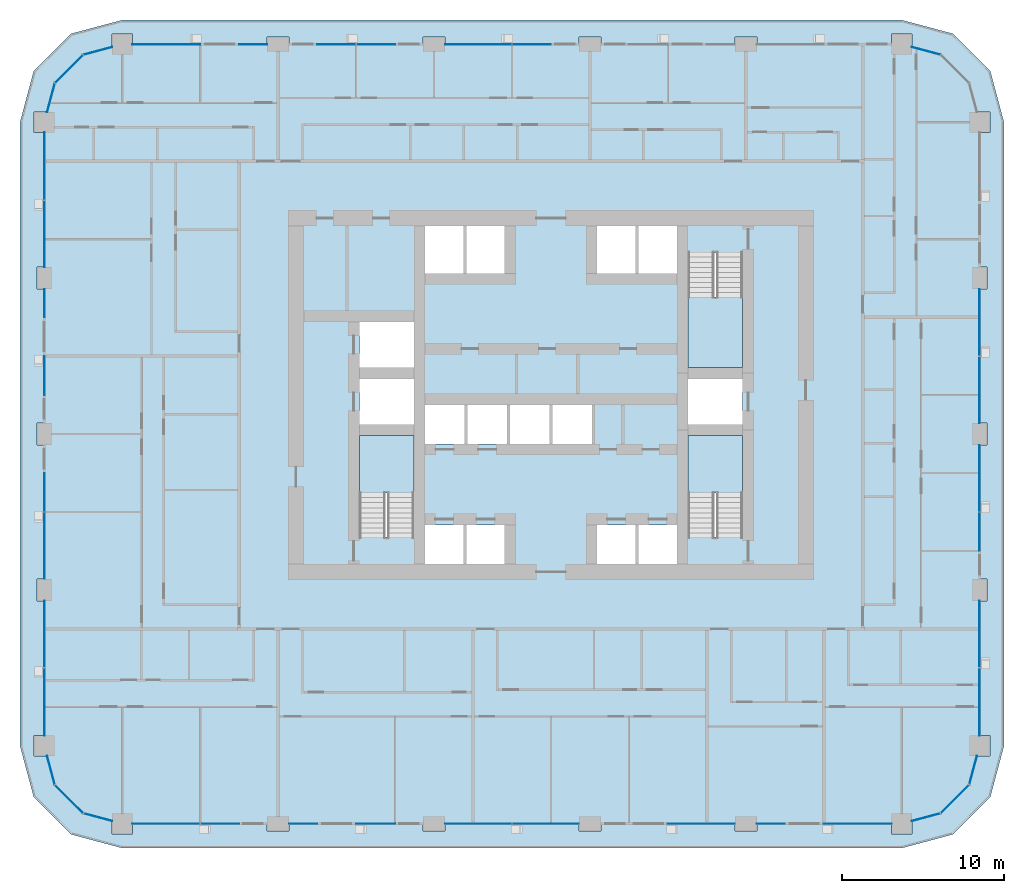
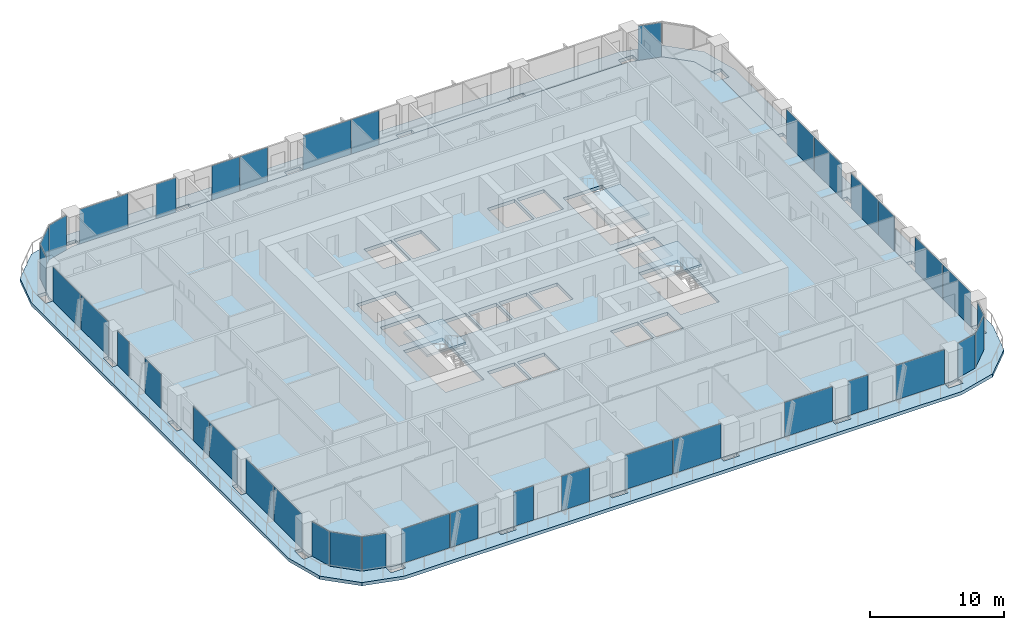
# One storey, part 7 of 21: 39 plates, 5 slabs, 22 elements without a shape of their own.
"""IFC4 building model written with IfcOpenShell, lengths in metres."""

from ifc_helpers import new_model, si_unit, direction, frame, origin, origin_2d, place, context, subcontext, project, spatial, polyline, rectangle, outline, extrude, material, layer, layer_set, type_object, element, aggregate, save


model = new_model("IFC4")

# Units and contexts
model_context = context("Model", 3, precision=1e-05, world=origin(), true_north=direction((0.0, 1.0)))
body_context = subcontext(model_context, "Body", "Model", "MODEL_VIEW")
ifc_project = project(units=[si_unit("LENGTHUNIT", "METRE"), si_unit("AREAUNIT", "SQUARE_METRE"), si_unit("VOLUMEUNIT", "CUBIC_METRE"), si_unit("PLANEANGLEUNIT", "RADIAN"), si_unit("MASSUNIT", "GRAM", prefix="KILO")], contexts=[model_context])

# Site, building, storey
site_placement = place(None, origin())
site = spatial("IfcSite", under=ifc_project, at=site_placement, CompositionType="ELEMENT")
building_placement = place(site_placement, origin())
building = spatial("IfcBuilding", under=site, at=building_placement, Name="Madar Terraces", CompositionType="ELEMENT")
storey_placement = place(building_placement, frame((0.0, 0.0, 32.89990234375)))
storey = spatial("IfcBuildingStorey", under=building, at=storey_placement, Name="L07", CompositionType="ELEMENT", Elevation=32.89990234375)

# Slabs
ifc_material_1 = material(Name="Concrete C50/60", Category="concrete")
ifc_layer_1 = layer(ifc_material_1, 0.300048828125)
ifc_layer_set_1 = layer_set([ifc_layer_1], Name="Balcony band 300")
slab_type_1 = type_object("IfcSlabType", Name="Balcony band 300", PredefinedType="FLOOR", material=ifc_layer_set_1)
slab_1_placement = place(storey_placement, frame((0.0, 0.0, -0.2998046875)))
element("IfcSlab", 1, at=slab_1_placement, inside=storey, type_object=slab_type_1, Name="Balcony band", PredefinedType="FLOOR", context=body_context, shape_type="SweptSolid", body=[
    extrude(outline(polyline([(4.800048828125, -1.5), (1.64990234375, -0.656005859375), (-0.656005859375, 1.64990234375), (-1.5, 4.800048828125), (-1.5, 43.199951171875), (-0.656005859375, 46.35009765625), (1.64990234375, 48.656005859375), (4.800048828125, 49.5), (52.800048828125, 49.5), (55.949951171875, 48.656005859375), (58.256103515625, 46.35009765625), (59.10009765625, 43.199951171875), (59.10009765625, 4.800048828125), (58.256103515625, 1.64990234375), (55.949951171875, -0.656005859375), (52.800048828125, -1.5), (4.800048828125, -1.5)]), holes=[polyline([(5.425048828125, -0.625), (5.425048828125, 0.0), (13.72509765625, 0.0), (13.72509765625, -0.449951171875), (15.074951171875, -0.449951171875), (15.074951171875, 0.0), (23.324951171875, 0.0), (23.324951171875, -0.449951171875), (24.675048828125, -0.449951171875), (24.675048828125, 0.0), (32.925048828125, 0.0), (32.925048828125, -0.449951171875), (34.27490234375, -0.449951171875), (34.27490234375, 0.0), (42.52490234375, 0.0), (42.52490234375, -0.449951171875), (43.875, -0.449951171875), (43.875, 0.0), (52.175048828125, 0.0), (52.175048828125, -0.625), (53.425048828125, -0.625), (53.425048828125, 0.16748046875), (55.199951171875, 0.64306640625), (56.956787109375, 2.39990234375), (57.4326171875, 4.175048828125), (58.22509765625, 4.175048828125), (58.22509765625, 5.425048828125), (57.60009765625, 5.425048828125), (57.60009765625, 13.72509765625), (58.050048828125, 13.72509765625), (58.050048828125, 15.074951171875), (57.60009765625, 15.074951171875), (57.60009765625, 23.324951171875), (58.050048828125, 23.324951171875), (58.050048828125, 24.675048828125), (57.60009765625, 24.675048828125), (57.60009765625, 32.925048828125), (58.050048828125, 32.925048828125), (58.050048828125, 34.27490234375), (57.60009765625, 34.27490234375), (57.60009765625, 42.574951171875), (58.22509765625, 42.574951171875), (58.22509765625, 43.824951171875), (57.4326171875, 43.824951171875), (56.956787109375, 45.60009765625), (55.199951171875, 47.35693359375), (53.425048828125, 47.83251953125), (53.425048828125, 48.625), (52.175048828125, 48.625), (52.175048828125, 48.0), (43.875, 48.0), (43.875, 48.449951171875), (42.52490234375, 48.449951171875), (42.52490234375, 48.0), (34.27490234375, 48.0), (34.27490234375, 48.449951171875), (32.925048828125, 48.449951171875), (32.925048828125, 48.0), (24.675048828125, 48.0), (24.675048828125, 48.449951171875), (23.324951171875, 48.449951171875), (23.324951171875, 48.0), (15.074951171875, 48.0), (15.074951171875, 48.449951171875), (13.72509765625, 48.449951171875), (13.72509765625, 48.0), (5.425048828125, 48.0), (5.425048828125, 48.625), (4.175048828125, 48.625), (4.175048828125, 47.83251953125), (2.39990234375, 47.35693359375), (0.64306640625, 45.60009765625), (0.16748046875, 43.824951171875), (-0.625, 43.824951171875), (-0.625, 42.574951171875), (0.0, 42.574951171875), (0.0, 34.27490234375), (-0.449951171875, 34.27490234375), (-0.449951171875, 32.925048828125), (0.0, 32.925048828125), (0.0, 24.675048828125), (-0.449951171875, 24.675048828125), (-0.449951171875, 23.324951171875), (0.0, 23.324951171875), (0.0, 15.074951171875), (-0.449951171875, 15.074951171875), (-0.449951171875, 13.72509765625), (0.0, 13.72509765625), (0.0, 5.425048828125), (-0.625, 5.425048828125), (-0.625, 4.175048828125), (0.16748046875, 4.175048828125), (0.64306640625, 2.39990234375), (2.39990234375, 0.64306640625), (4.175048828125, 0.16748046875), (4.175048828125, -0.625), (5.425048828125, -0.625)])]), origin(), (0.0, 0.0, 1.0), 0.2998046875),
])
ifc_material_2 = material(Name="Concrete C50/60", Category="concrete")
ifc_layer_2 = layer(ifc_material_2, 0.300048828125)
ifc_layer_set_2 = layer_set([ifc_layer_2], Name="FS2 PT flat slab 300")
slab_type_2 = type_object("IfcSlabType", Name="FS2 PT flat slab 300", PredefinedType="FLOOR", material=ifc_layer_set_2)
slab_2_placement = place(storey_placement, frame((0.0, 0.0, -0.2998046875)))
element("IfcSlab", 2, at=slab_2_placement, inside=storey, type_object=slab_type_2, Name="Floor slab L07 (1)", PredefinedType="FLOOR", context=body_context, shape_type="SweptSolid", body=[
    extrude(outline(polyline([(52.800048828125, 0.0), (55.199951171875, 0.64306640625), (56.95703125, 2.39990234375), (57.60009765625, 4.800048828125), (57.60009765625, 43.199951171875), (56.95703125, 45.60009765625), (55.199951171875, 47.35693359375), (52.800048828125, 48.0), (4.800048828125, 48.0), (2.39990234375, 47.35693359375), (0.64306640625, 45.60009765625), (0.0, 43.199951171875), (0.0, 4.800048828125), (0.64306640625, 2.39990234375), (2.39990234375, 0.64306640625), (4.800048828125, 0.0), (52.800048828125, 0.0)]), holes=[polyline([(23.449951171875, 16.0), (23.449951171875, 18.39990234375), (25.800048828125, 18.39990234375), (25.800048828125, 16.0), (23.449951171875, 16.0)]), polyline([(26.0, 16.0), (26.0, 18.39990234375), (28.35009765625, 18.39990234375), (28.35009765625, 16.0), (26.0, 16.0)]), polyline([(19.39990234375, 17.64990234375), (19.39990234375, 23.89990234375), (22.75, 23.89990234375), (22.75, 17.64990234375), (19.39990234375, 17.64990234375)]), polyline([(23.449951171875, 23.39990234375), (23.449951171875, 25.800048828125), (25.86669921875, 25.800048828125), (25.86669921875, 23.39990234375), (23.449951171875, 23.39990234375)]), polyline([(26.066650390625, 23.39990234375), (26.066650390625, 25.800048828125), (28.4833984375, 25.800048828125), (28.4833984375, 23.39990234375), (26.066650390625, 23.39990234375)]), polyline([(19.39990234375, 24.60009765625), (19.39990234375, 27.39990234375), (22.75, 27.39990234375), (22.75, 24.60009765625), (19.39990234375, 24.60009765625)]), polyline([(19.39990234375, 28.10009765625), (19.39990234375, 30.89990234375), (22.75, 30.89990234375), (22.75, 28.10009765625), (19.39990234375, 28.10009765625)]), polyline([(23.449951171875, 36.800048828125), (25.800048828125, 36.800048828125), (25.800048828125, 33.89990234375), (23.449951171875, 33.89990234375), (23.449951171875, 36.800048828125)]), polyline([(26.0, 36.800048828125), (28.35009765625, 36.800048828125), (28.35009765625, 33.89990234375), (26.0, 33.89990234375), (26.0, 36.800048828125)]), polyline([(34.050048828125, 16.0), (34.050048828125, 18.39990234375), (36.39990234375, 18.39990234375), (36.39990234375, 16.0), (34.050048828125, 16.0)]), polyline([(36.60009765625, 16.0), (36.60009765625, 18.39990234375), (38.949951171875, 18.39990234375), (38.949951171875, 16.0), (36.60009765625, 16.0)]), polyline([(39.64990234375, 17.64990234375), (39.64990234375, 23.89990234375), (43.0, 23.89990234375), (43.0, 17.64990234375), (39.64990234375, 17.64990234375)]), polyline([(28.683349609375, 23.39990234375), (28.683349609375, 25.800048828125), (31.10009765625, 25.800048828125), (31.10009765625, 23.39990234375), (28.683349609375, 23.39990234375)]), polyline([(31.300048828125, 23.39990234375), (31.300048828125, 25.800048828125), (33.716552734375, 25.800048828125), (33.716552734375, 23.39990234375), (31.300048828125, 23.39990234375)]), polyline([(39.64990234375, 24.60009765625), (39.64990234375, 27.39990234375), (43.0, 27.39990234375), (43.0, 24.60009765625), (39.64990234375, 24.60009765625)]), polyline([(39.64990234375, 28.10009765625), (39.64990234375, 35.14990234375), (43.0, 35.14990234375), (43.0, 28.10009765625), (39.64990234375, 28.10009765625)]), polyline([(34.050048828125, 36.800048828125), (36.39990234375, 36.800048828125), (36.39990234375, 33.89990234375), (34.050048828125, 33.89990234375), (34.050048828125, 36.800048828125)]), polyline([(36.60009765625, 36.800048828125), (38.949951171875, 36.800048828125), (38.949951171875, 33.89990234375), (36.60009765625, 33.89990234375), (36.60009765625, 36.800048828125)])]), origin(), (0.0, 0.0, 1.0), 0.2998046875),
])

# Curtain wall, plates
ifc_material_3 = material(Name="Glass, ceramic frit dark grey, with black aluminium frame", Category="aluminium")
ifc_layer_3 = layer(ifc_material_3, 0.199951171875)
ifc_layer_set_3 = layer_set([ifc_layer_3], Name="Facade curtain wall, fritted glass")
curtain_wall_type = type_object("IfcCurtainWallType", Name="Facade curtain wall, fritted glass", PredefinedType="NOTDEFINED", material=ifc_layer_set_3)
curtain_wall_1_placement = place(storey_placement, origin())
curtain_wall_1 = element("IfcCurtainWall", 3, at=curtain_wall_1_placement, inside=storey, type_object=curtain_wall_type, Name="Outer skin curtain wall south bay 1", PredefinedType="NOTDEFINED")
ifc_material_4 = material(Name="Glass, ceramic frit dark grey", Category="glass")
ifc_layer_4 = layer(ifc_material_4, 0.028076171875)
ifc_layer_set_4 = layer_set([ifc_layer_4], Name="Facade glass panel 28")
plate_type = type_object("IfcPlateType", Name="Facade glass panel 28", PredefinedType="CURTAIN_PANEL", material=ifc_layer_set_4)
plate_1_placement = place(storey_placement, frame((7.49755859375, 0.0, 0.0), z_axis=(0.0, 0.0, 1.0), x_axis=(1.0, 0.0, 0.0)))
plate_1 = element("IfcPlate", 4, at=plate_1_placement, type_object=plate_type, Name="Panel 1", PredefinedType="CURTAIN_PANEL", context=body_context, shape_type="SweptSolid", body=[
    extrude(rectangle(XDim=4.14501953125, YDim=0.028076171875, at=origin_2d()), origin(), (0.0, 0.0, 1.0), 3.139892578125),
])
plate_2_placement = place(storey_placement, frame((10.81494140625, 0.0, 0.0), z_axis=(0.0, 0.0, 1.0), x_axis=(1.0, 0.0, 0.0)))
plate_2 = element("IfcPlate", 5, at=plate_2_placement, type_object=plate_type, Name="Panel 2", PredefinedType="CURTAIN_PANEL", context=body_context, shape_type="SweptSolid", body=[
    extrude(rectangle(XDim=2.3701171875, YDim=0.028076171875, at=origin_2d()), origin(), (0.0, 0.0, 1.0), 3.139892578125),
])
aggregate(curtain_wall_1, [plate_1, plate_2])

curtain_wall_2_placement = place(storey_placement, origin())
curtain_wall_2 = element("IfcCurtainWall", 6, at=curtain_wall_2_placement, inside=storey, type_object=curtain_wall_type, Name="Outer skin curtain wall south bay 2", PredefinedType="NOTDEFINED")
plate_3_placement = place(storey_placement, frame((15.9375, 0.0, 0.0), z_axis=(0.0, 0.0, 1.0), x_axis=(1.0, 0.0, 0.0)))
plate_3 = element("IfcPlate", 7, at=plate_3_placement, type_object=plate_type, Name="Panel 1", PredefinedType="CURTAIN_PANEL", context=body_context, shape_type="SweptSolid", body=[
    extrude(rectangle(XDim=1.72509765625, YDim=0.028076171875, at=origin_2d()), origin(), (0.0, 0.0, 1.0), 3.139892578125),
])
plate_4_placement = place(storey_placement, frame((20.39990234375, 0.0, 0.0), z_axis=(0.0, 0.0, 1.0), x_axis=(1.0, 0.0, 0.0)))
plate_4 = element("IfcPlate", 8, at=plate_4_placement, type_object=plate_type, Name="Panel 2", PredefinedType="CURTAIN_PANEL", context=body_context, shape_type="SweptSolid", body=[
    extrude(rectangle(XDim=2.39990234375, YDim=0.028076171875, at=origin_2d()), origin(), (0.0, 0.0, 1.0), 3.139892578125),
])
aggregate(curtain_wall_2, [plate_3, plate_4])

curtain_wall_3_placement = place(storey_placement, origin())
curtain_wall_3 = element("IfcCurtainWall", 9, at=curtain_wall_3_placement, inside=storey, type_object=curtain_wall_type, Name="Outer skin curtain wall south bay 3", PredefinedType="NOTDEFINED")
plate_5_placement = place(storey_placement, frame((26.722412109375, 0.0, 0.0), z_axis=(0.0, 0.0, 1.0), x_axis=(1.0, 0.0, 0.0)))
plate_5 = element("IfcPlate", 10, at=plate_5_placement, type_object=plate_type, Name="Panel 1", PredefinedType="CURTAIN_PANEL", context=body_context, shape_type="SweptSolid", body=[
    extrude(rectangle(XDim=4.094970703125, YDim=0.028076171875, at=origin_2d()), origin(), (0.0, 0.0, 1.0), 3.139892578125),
])
plate_6_placement = place(storey_placement, frame((30.87744140625, 0.0, 0.0), z_axis=(0.0, 0.0, 1.0), x_axis=(1.0, 0.0, 0.0)))
plate_6 = element("IfcPlate", 11, at=plate_6_placement, type_object=plate_type, Name="Panel 2", PredefinedType="CURTAIN_PANEL", context=body_context, shape_type="SweptSolid", body=[
    extrude(rectangle(XDim=4.094970703125, YDim=0.028076171875, at=origin_2d()), origin(), (0.0, 0.0, 1.0), 3.139892578125),
])
aggregate(curtain_wall_3, [plate_5, plate_6])

# Curtain wall, plate
curtain_wall_4_placement = place(storey_placement, origin())
curtain_wall_4 = element("IfcCurtainWall", 12, at=curtain_wall_4_placement, inside=storey, type_object=curtain_wall_type, Name="Outer skin curtain wall south bay 4", PredefinedType="NOTDEFINED")
plate_7_placement = place(storey_placement, frame((40.46240234375, 0.0, 0.0), z_axis=(0.0, 0.0, 1.0), x_axis=(1.0, 0.0, 0.0)))
plate_7 = element("IfcPlate", 13, at=plate_7_placement, type_object=plate_type, Name="Panel 1", PredefinedType="CURTAIN_PANEL", context=body_context, shape_type="SweptSolid", body=[
    extrude(rectangle(XDim=4.125, YDim=0.028076171875, at=origin_2d()), origin(), (0.0, 0.0, 1.0), 3.139892578125),
])
aggregate(curtain_wall_4, [plate_7])

# Curtain wall, plates
curtain_wall_5_placement = place(storey_placement, origin())
curtain_wall_5 = element("IfcCurtainWall", 14, at=curtain_wall_5_placement, inside=storey, type_object=curtain_wall_type, Name="Outer skin curtain wall south bay 5", PredefinedType="NOTDEFINED")
plate_8_placement = place(storey_placement, frame((44.737548828125, 0.0, 0.0), z_axis=(0.0, 0.0, 1.0), x_axis=(1.0, 0.0, 0.0)))
plate_8 = element("IfcPlate", 15, at=plate_8_placement, type_object=plate_type, Name="Panel 1", PredefinedType="CURTAIN_PANEL", context=body_context, shape_type="SweptSolid", body=[
    extrude(rectangle(XDim=1.72509765625, YDim=0.028076171875, at=origin_2d()), origin(), (0.0, 0.0, 1.0), 3.139892578125),
])
plate_9_placement = place(storey_placement, frame((50.08740234375, 0.0, 0.0), z_axis=(0.0, 0.0, 1.0), x_axis=(1.0, 0.0, 0.0)))
plate_9 = element("IfcPlate", 16, at=plate_9_placement, type_object=plate_type, Name="Panel 2", PredefinedType="CURTAIN_PANEL", context=body_context, shape_type="SweptSolid", body=[
    extrude(rectangle(XDim=4.175048828125, YDim=0.028076171875, at=origin_2d()), origin(), (0.0, 0.0, 1.0), 3.139892578125),
])
aggregate(curtain_wall_5, [plate_8, plate_9])

curtain_wall_6_placement = place(storey_placement, origin())
curtain_wall_6 = element("IfcCurtainWall", 17, at=curtain_wall_6_placement, inside=storey, type_object=curtain_wall_type, Name="Outer skin curtain wall east bay 1", PredefinedType="NOTDEFINED")
plate_10_placement = place(storey_placement, frame((57.60009765625, 7.49755859375, 0.0), z_axis=(0.0, 0.0, 1.0), x_axis=(0.0, 1.0, 0.0)))
plate_10 = element("IfcPlate", 18, at=plate_10_placement, type_object=plate_type, Name="Panel 1", PredefinedType="CURTAIN_PANEL", context=body_context, shape_type="SweptSolid", body=[
    extrude(rectangle(XDim=4.14501953125, YDim=0.028076171875, at=origin_2d()), origin(), (0.0, 0.0, 1.0), 3.139892578125),
])
plate_11_placement = place(storey_placement, frame((57.60009765625, 11.677490234375, 0.0), z_axis=(0.0, 0.0, 1.0), x_axis=(0.0, 1.0, 0.0)))
plate_11 = element("IfcPlate", 19, at=plate_11_placement, type_object=plate_type, Name="Panel 2", PredefinedType="CURTAIN_PANEL", context=body_context, shape_type="SweptSolid", body=[
    extrude(rectangle(XDim=4.094970703125, YDim=0.028076171875, at=origin_2d()), origin(), (0.0, 0.0, 1.0), 3.139892578125),
])
aggregate(curtain_wall_6, [plate_10, plate_11])

curtain_wall_7_placement = place(storey_placement, origin())
curtain_wall_7 = element("IfcCurtainWall", 20, at=curtain_wall_7_placement, inside=storey, type_object=curtain_wall_type, Name="Outer skin curtain wall east bay 2", PredefinedType="NOTDEFINED")
plate_12_placement = place(storey_placement, frame((57.60009765625, 17.985107421875, 0.0), z_axis=(0.0, 0.0, 1.0), x_axis=(0.0, 1.0, 0.0)))
plate_12 = element("IfcPlate", 21, at=plate_12_placement, type_object=plate_type, Name="Panel 1", PredefinedType="CURTAIN_PANEL", context=body_context, shape_type="SweptSolid", body=[
    extrude(rectangle(XDim=2.3701171875, YDim=0.028076171875, at=origin_2d()), origin(), (0.0, 0.0, 1.0), 3.139892578125),
])
plate_13_placement = place(storey_placement, frame((57.60009765625, 21.277587890625, 0.0), z_axis=(0.0, 0.0, 1.0), x_axis=(0.0, 1.0, 0.0)))
plate_13 = element("IfcPlate", 22, at=plate_13_placement, type_object=plate_type, Name="Panel 2", PredefinedType="CURTAIN_PANEL", context=body_context, shape_type="SweptSolid", body=[
    extrude(rectangle(XDim=4.094970703125, YDim=0.028076171875, at=origin_2d()), origin(), (0.0, 0.0, 1.0), 3.139892578125),
])
aggregate(curtain_wall_7, [plate_12, plate_13])

curtain_wall_8_placement = place(storey_placement, origin())
curtain_wall_8 = element("IfcCurtainWall", 23, at=curtain_wall_8_placement, inside=storey, type_object=curtain_wall_type, Name="Outer skin curtain wall east bay 3", PredefinedType="NOTDEFINED")
plate_14_placement = place(storey_placement, frame((57.60009765625, 26.722412109375, 0.0), z_axis=(0.0, 0.0, 1.0), x_axis=(0.0, 1.0, 0.0)))
plate_14 = element("IfcPlate", 24, at=plate_14_placement, type_object=plate_type, Name="Panel 1", PredefinedType="CURTAIN_PANEL", context=body_context, shape_type="SweptSolid", body=[
    extrude(rectangle(XDim=4.094970703125, YDim=0.028076171875, at=origin_2d()), origin(), (0.0, 0.0, 1.0), 3.139892578125),
])
plate_15_placement = place(storey_placement, frame((57.60009765625, 30.87744140625, 0.0), z_axis=(0.0, 0.0, 1.0), x_axis=(0.0, 1.0, 0.0)))
plate_15 = element("IfcPlate", 25, at=plate_15_placement, type_object=plate_type, Name="Panel 2", PredefinedType="CURTAIN_PANEL", context=body_context, shape_type="SweptSolid", body=[
    extrude(rectangle(XDim=4.094970703125, YDim=0.028076171875, at=origin_2d()), origin(), (0.0, 0.0, 1.0), 3.139892578125),
])
aggregate(curtain_wall_8, [plate_14, plate_15])

curtain_wall_9_placement = place(storey_placement, origin())
curtain_wall_9 = element("IfcCurtainWall", 26, at=curtain_wall_9_placement, inside=storey, type_object=curtain_wall_type, Name="Outer skin curtain wall north bay 3", PredefinedType="NOTDEFINED")
plate_16_placement = place(storey_placement, frame((30.014892578125, 48.0, 0.0), z_axis=(0.0, 0.0, 1.0), x_axis=(-1.0, 0.0, 0.0)))
plate_16 = element("IfcPlate", 27, at=plate_16_placement, type_object=plate_type, Name="Panel 1", PredefinedType="CURTAIN_PANEL", context=body_context, shape_type="SweptSolid", body=[
    extrude(rectangle(XDim=2.3701171875, YDim=0.028076171875, at=origin_2d()), origin(), (0.0, 0.0, 1.0), 3.139892578125),
])
plate_17_placement = place(storey_placement, frame((26.722412109375, 48.0, 0.0), z_axis=(0.0, 0.0, 1.0), x_axis=(-1.0, 0.0, 0.0)))
plate_17 = element("IfcPlate", 28, at=plate_17_placement, type_object=plate_type, Name="Panel 2", PredefinedType="CURTAIN_PANEL", context=body_context, shape_type="SweptSolid", body=[
    extrude(rectangle(XDim=4.094970703125, YDim=0.028076171875, at=origin_2d()), origin(), (0.0, 0.0, 1.0), 3.139892578125),
])
aggregate(curtain_wall_9, [plate_16, plate_17])

curtain_wall_10_placement = place(storey_placement, origin())
curtain_wall_10 = element("IfcCurtainWall", 29, at=curtain_wall_10_placement, inside=storey, type_object=curtain_wall_type, Name="Outer skin curtain wall north bay 4", PredefinedType="NOTDEFINED")
plate_18_placement = place(storey_placement, frame((20.4150390625, 48.0, 0.0), z_axis=(0.0, 0.0, 1.0), x_axis=(-1.0, 0.0, 0.0)))
plate_18 = element("IfcPlate", 30, at=plate_18_placement, type_object=plate_type, Name="Panel 1", PredefinedType="CURTAIN_PANEL", context=body_context, shape_type="SweptSolid", body=[
    extrude(rectangle(XDim=2.3701171875, YDim=0.028076171875, at=origin_2d()), origin(), (0.0, 0.0, 1.0), 3.139892578125),
])
plate_19_placement = place(storey_placement, frame((17.985107421875, 48.0, 0.0), z_axis=(0.0, 0.0, 1.0), x_axis=(-1.0, 0.0, 0.0)))
plate_19 = element("IfcPlate", 31, at=plate_19_placement, type_object=plate_type, Name="Panel 2", PredefinedType="CURTAIN_PANEL", context=body_context, shape_type="SweptSolid", body=[
    extrude(rectangle(XDim=2.3701171875, YDim=0.028076171875, at=origin_2d()), origin(), (0.0, 0.0, 1.0), 3.139892578125),
])
aggregate(curtain_wall_10, [plate_18, plate_19])

curtain_wall_11_placement = place(storey_placement, origin())
curtain_wall_11 = element("IfcCurtainWall", 32, at=curtain_wall_11_placement, inside=storey, type_object=curtain_wall_type, Name="Outer skin curtain wall north bay 5", PredefinedType="NOTDEFINED")
plate_20_placement = place(storey_placement, frame((12.862548828125, 48.0, 0.0), z_axis=(0.0, 0.0, 1.0), x_axis=(-1.0, 0.0, 0.0)))
plate_20 = element("IfcPlate", 33, at=plate_20_placement, type_object=plate_type, Name="Panel 1", PredefinedType="CURTAIN_PANEL", context=body_context, shape_type="SweptSolid", body=[
    extrude(rectangle(XDim=1.72509765625, YDim=0.028076171875, at=origin_2d()), origin(), (0.0, 0.0, 1.0), 3.139892578125),
])
plate_21_placement = place(storey_placement, frame((7.512451171875, 48.0, 0.0), z_axis=(0.0, 0.0, 1.0), x_axis=(-1.0, 0.0, 0.0)))
plate_21 = element("IfcPlate", 34, at=plate_21_placement, type_object=plate_type, Name="Panel 2", PredefinedType="CURTAIN_PANEL", context=body_context, shape_type="SweptSolid", body=[
    extrude(rectangle(XDim=4.175048828125, YDim=0.028076171875, at=origin_2d()), origin(), (0.0, 0.0, 1.0), 3.139892578125),
])
aggregate(curtain_wall_11, [plate_20, plate_21])

curtain_wall_12_placement = place(storey_placement, origin())
curtain_wall_12 = element("IfcCurtainWall", 35, at=curtain_wall_12_placement, inside=storey, type_object=curtain_wall_type, Name="Outer skin curtain wall west bay 1", PredefinedType="NOTDEFINED")
plate_22_placement = place(storey_placement, frame((0.0, 40.50244140625, 0.0), z_axis=(0.0, 0.0, 1.0), x_axis=(0.0, -1.0, 0.0)))
plate_22 = element("IfcPlate", 36, at=plate_22_placement, type_object=plate_type, Name="Panel 1", PredefinedType="CURTAIN_PANEL", context=body_context, shape_type="SweptSolid", body=[
    extrude(rectangle(XDim=4.14501953125, YDim=0.028076171875, at=origin_2d()), origin(), (0.0, 0.0, 1.0), 3.139892578125),
])
plate_23_placement = place(storey_placement, frame((0.0, 36.322509765625, 0.0), z_axis=(0.0, 0.0, 1.0), x_axis=(0.0, -1.0, 0.0)))
plate_23 = element("IfcPlate", 37, at=plate_23_placement, type_object=plate_type, Name="Panel 2", PredefinedType="CURTAIN_PANEL", context=body_context, shape_type="SweptSolid", body=[
    extrude(rectangle(XDim=4.094970703125, YDim=0.028076171875, at=origin_2d()), origin(), (0.0, 0.0, 1.0), 3.139892578125),
])
aggregate(curtain_wall_12, [plate_22, plate_23])

curtain_wall_13_placement = place(storey_placement, origin())
curtain_wall_13 = element("IfcCurtainWall", 38, at=curtain_wall_13_placement, inside=storey, type_object=curtain_wall_type, Name="Outer skin curtain wall west bay 2", PredefinedType="NOTDEFINED")
plate_24_placement = place(storey_placement, frame((0.0, 32.0625, 0.0), z_axis=(0.0, 0.0, 1.0), x_axis=(0.0, -1.0, 0.0)))
plate_24 = element("IfcPlate", 39, at=plate_24_placement, type_object=plate_type, Name="Panel 1", PredefinedType="CURTAIN_PANEL", context=body_context, shape_type="SweptSolid", body=[
    extrude(rectangle(XDim=1.72509765625, YDim=0.028076171875, at=origin_2d()), origin(), (0.0, 0.0, 1.0), 3.139892578125),
])
plate_25_placement = place(storey_placement, frame((0.0, 27.60009765625, 0.0), z_axis=(0.0, 0.0, 1.0), x_axis=(0.0, -1.0, 0.0)))
plate_25 = element("IfcPlate", 40, at=plate_25_placement, type_object=plate_type, Name="Panel 2", PredefinedType="CURTAIN_PANEL", context=body_context, shape_type="SweptSolid", body=[
    extrude(rectangle(XDim=2.39990234375, YDim=0.028076171875, at=origin_2d()), origin(), (0.0, 0.0, 1.0), 3.139892578125),
])
aggregate(curtain_wall_13, [plate_24, plate_25])

curtain_wall_14_placement = place(storey_placement, origin())
curtain_wall_14 = element("IfcCurtainWall", 41, at=curtain_wall_14_placement, inside=storey, type_object=curtain_wall_type, Name="Outer skin curtain wall west bay 3", PredefinedType="NOTDEFINED")
plate_26_placement = place(storey_placement, frame((0.0, 20.4150390625, 0.0), z_axis=(0.0, 0.0, 1.0), x_axis=(0.0, -1.0, 0.0)))
plate_26 = element("IfcPlate", 42, at=plate_26_placement, type_object=plate_type, Name="Panel 1", PredefinedType="CURTAIN_PANEL", context=body_context, shape_type="SweptSolid", body=[
    extrude(rectangle(XDim=2.3701171875, YDim=0.028076171875, at=origin_2d()), origin(), (0.0, 0.0, 1.0), 3.139892578125),
])
plate_27_placement = place(storey_placement, frame((0.0, 17.12255859375, 0.0), z_axis=(0.0, 0.0, 1.0), x_axis=(0.0, -1.0, 0.0)))
plate_27 = element("IfcPlate", 43, at=plate_27_placement, type_object=plate_type, Name="Panel 2", PredefinedType="CURTAIN_PANEL", context=body_context, shape_type="SweptSolid", body=[
    extrude(rectangle(XDim=4.094970703125, YDim=0.028076171875, at=origin_2d()), origin(), (0.0, 0.0, 1.0), 3.139892578125),
])
aggregate(curtain_wall_14, [plate_26, plate_27])

curtain_wall_15_placement = place(storey_placement, origin())
curtain_wall_15 = element("IfcCurtainWall", 44, at=curtain_wall_15_placement, inside=storey, type_object=curtain_wall_type, Name="Outer skin curtain wall west bay 4", PredefinedType="NOTDEFINED")
plate_28_placement = place(storey_placement, frame((0.0, 11.677490234375, 0.0), z_axis=(0.0, 0.0, 1.0), x_axis=(0.0, -1.0, 0.0)))
plate_28 = element("IfcPlate", 45, at=plate_28_placement, type_object=plate_type, Name="Panel 1", PredefinedType="CURTAIN_PANEL", context=body_context, shape_type="SweptSolid", body=[
    extrude(rectangle(XDim=4.094970703125, YDim=0.028076171875, at=origin_2d()), origin(), (0.0, 0.0, 1.0), 3.139892578125),
])
plate_29_placement = place(storey_placement, frame((0.0, 7.49755859375, 0.0), z_axis=(0.0, 0.0, 1.0), x_axis=(0.0, -1.0, 0.0)))
plate_29 = element("IfcPlate", 46, at=plate_29_placement, type_object=plate_type, Name="Panel 2", PredefinedType="CURTAIN_PANEL", context=body_context, shape_type="SweptSolid", body=[
    extrude(rectangle(XDim=4.14501953125, YDim=0.028076171875, at=origin_2d()), origin(), (0.0, 0.0, 1.0), 3.139892578125),
])
aggregate(curtain_wall_15, [plate_28, plate_29])

curtain_wall_16_placement = place(storey_placement, origin())
curtain_wall_16 = element("IfcCurtainWall", 47, at=curtain_wall_16_placement, inside=storey, type_object=curtain_wall_type, Name="Outer skin curtain wall south-east corner", PredefinedType="NOTDEFINED")
plate_30_placement = place(storey_placement, frame((54.298095703125, 0.4013671875, 0.0), z_axis=(0.0, 0.0, 1.0), x_axis=(0.965925832509, 0.258819021888, 0.0)))
plate_30 = element("IfcPlate", 48, at=plate_30_placement, type_object=plate_type, Name="Panel 1", PredefinedType="CURTAIN_PANEL", context=body_context, shape_type="SweptSolid", body=[
    extrude(rectangle(XDim=1.8076171875, YDim=0.028076171875, at=origin_2d()), origin(), (0.0, 0.0, 1.0), 3.139892578125),
])
plate_31_placement = place(storey_placement, frame((56.078369140625, 1.521484375, 0.0), z_axis=(0.0, 0.0, 1.0), x_axis=(0.707106781187, 0.707106781187, 0.0)))
plate_31 = element("IfcPlate", 49, at=plate_31_placement, type_object=plate_type, Name="Panel 2", PredefinedType="CURTAIN_PANEL", context=body_context, shape_type="SweptSolid", body=[
    extrude(rectangle(XDim=2.424560546875, YDim=0.028076171875, at=origin_2d()), origin(), (0.0, 0.0, 1.0), 3.139892578125),
])
plate_32_placement = place(storey_placement, frame((57.19873046875, 3.302001953125, 0.0), z_axis=(0.0, 0.0, 1.0), x_axis=(0.258819021888, 0.965925832509, 0.0)))
plate_32 = element("IfcPlate", 50, at=plate_32_placement, type_object=plate_type, Name="Panel 3", PredefinedType="CURTAIN_PANEL", context=body_context, shape_type="SweptSolid", body=[
    extrude(rectangle(XDim=1.8076171875, YDim=0.028076171875, at=origin_2d()), origin(), (0.0, 0.0, 1.0), 3.139892578125),
])
aggregate(curtain_wall_16, [plate_30, plate_31, plate_32])

# Curtain wall, plate
curtain_wall_17_placement = place(storey_placement, origin())
curtain_wall_17 = element("IfcCurtainWall", 51, at=curtain_wall_17_placement, inside=storey, type_object=curtain_wall_type, Name="Outer skin curtain wall north-east corner", PredefinedType="NOTDEFINED")
plate_33_placement = place(storey_placement, frame((54.298095703125, 47.5986328125, 0.0), z_axis=(0.0, 0.0, 1.0), x_axis=(-0.965925832509, 0.258819021888, 0.0)))
plate_33 = element("IfcPlate", 52, at=plate_33_placement, type_object=plate_type, Name="Panel 3", PredefinedType="CURTAIN_PANEL", context=body_context, shape_type="SweptSolid", body=[
    extrude(rectangle(XDim=1.8076171875, YDim=0.028076171875, at=origin_2d()), origin(), (0.0, 0.0, 1.0), 3.139892578125),
])
aggregate(curtain_wall_17, [plate_33])

# Curtain wall, plates
curtain_wall_18_placement = place(storey_placement, origin())
curtain_wall_18 = element("IfcCurtainWall", 53, at=curtain_wall_18_placement, inside=storey, type_object=curtain_wall_type, Name="Outer skin curtain wall north-west corner", PredefinedType="NOTDEFINED")
plate_34_placement = place(storey_placement, frame((3.302001953125, 47.5986328125, 0.0), z_axis=(0.0, 0.0, 1.0), x_axis=(-0.965925832509, -0.258819021888, 0.0)))
plate_34 = element("IfcPlate", 54, at=plate_34_placement, type_object=plate_type, Name="Panel 1", PredefinedType="CURTAIN_PANEL", context=body_context, shape_type="SweptSolid", body=[
    extrude(rectangle(XDim=1.8076171875, YDim=0.028076171875, at=origin_2d()), origin(), (0.0, 0.0, 1.0), 3.139892578125),
])
plate_35_placement = place(storey_placement, frame((1.521484375, 46.478515625, 0.0), z_axis=(0.0, 0.0, 1.0), x_axis=(-0.707106781187, -0.707106781187, 0.0)))
plate_35 = element("IfcPlate", 55, at=plate_35_placement, type_object=plate_type, Name="Panel 2", PredefinedType="CURTAIN_PANEL", context=body_context, shape_type="SweptSolid", body=[
    extrude(rectangle(XDim=2.424560546875, YDim=0.028076171875, at=origin_2d()), origin(), (0.0, 0.0, 1.0), 3.139892578125),
])
plate_36_placement = place(storey_placement, frame((0.4013671875, 44.697998046875, 0.0), z_axis=(0.0, 0.0, 1.0), x_axis=(-0.258819021888, -0.965925832509, 0.0)))
plate_36 = element("IfcPlate", 56, at=plate_36_placement, type_object=plate_type, Name="Panel 3", PredefinedType="CURTAIN_PANEL", context=body_context, shape_type="SweptSolid", body=[
    extrude(rectangle(XDim=1.8076171875, YDim=0.028076171875, at=origin_2d()), origin(), (0.0, 0.0, 1.0), 3.139892578125),
])
aggregate(curtain_wall_18, [plate_34, plate_35, plate_36])

curtain_wall_19_placement = place(storey_placement, origin())
curtain_wall_19 = element("IfcCurtainWall", 57, at=curtain_wall_19_placement, inside=storey, type_object=curtain_wall_type, Name="Outer skin curtain wall south-west corner", PredefinedType="NOTDEFINED")
plate_37_placement = place(storey_placement, frame((0.4013671875, 3.302001953125, 0.0), z_axis=(0.0, 0.0, 1.0), x_axis=(0.258819021888, -0.965925832509, 0.0)))
plate_37 = element("IfcPlate", 58, at=plate_37_placement, type_object=plate_type, Name="Panel 1", PredefinedType="CURTAIN_PANEL", context=body_context, shape_type="SweptSolid", body=[
    extrude(rectangle(XDim=1.8076171875, YDim=0.028076171875, at=origin_2d()), origin(), (0.0, 0.0, 1.0), 3.139892578125),
])
plate_38_placement = place(storey_placement, frame((1.521484375, 1.521484375, 0.0), z_axis=(0.0, 0.0, 1.0), x_axis=(0.707106781187, -0.707106781187, 0.0)))
plate_38 = element("IfcPlate", 59, at=plate_38_placement, type_object=plate_type, Name="Panel 2", PredefinedType="CURTAIN_PANEL", context=body_context, shape_type="SweptSolid", body=[
    extrude(rectangle(XDim=2.424560546875, YDim=0.028076171875, at=origin_2d()), origin(), (0.0, 0.0, 1.0), 3.139892578125),
])
plate_39_placement = place(storey_placement, frame((3.302001953125, 0.4013671875, 0.0), z_axis=(0.0, 0.0, 1.0), x_axis=(0.965925832509, -0.258819021888, 0.0)))
plate_39 = element("IfcPlate", 60, at=plate_39_placement, type_object=plate_type, Name="Panel 3", PredefinedType="CURTAIN_PANEL", context=body_context, shape_type="SweptSolid", body=[
    extrude(rectangle(XDim=1.8076171875, YDim=0.028076171875, at=origin_2d()), origin(), (0.0, 0.0, 1.0), 3.139892578125),
])
aggregate(curtain_wall_19, [plate_37, plate_38, plate_39])

# Stair, slab
ifc_material_5 = material(Name="Concrete C50/60", Category="concrete")
stair_type_1 = type_object("IfcStairType", Name="Stair ST1 protected exit", PredefinedType="HALF_TURN_STAIR", material=ifc_material_5)
stair_1_placement = place(storey_placement, origin())
stair_1 = element("IfcStair", 61, at=stair_1_placement, inside=storey, type_object=stair_type_1, Name="L07 Protected Exit Stair ST1", PredefinedType="HALF_TURN_STAIR")
ifc_material_6 = material(Name="Concrete C50/60", Category="concrete")
ifc_layer_5 = layer(ifc_material_6, 0.199951171875)
ifc_layer_set_5 = layer_set([ifc_layer_5], Name="Stair landing 200, top +1.75")
slab_type_3 = type_object("IfcSlabType", Name="Stair landing 200, top +1.75", PredefinedType="LANDING", material=ifc_layer_set_5)
slab_3_placement = place(storey_placement, frame((0.0, 0.0, 1.550048828125)))
slab_3 = element("IfcSlab", 62, at=slab_3_placement, type_object=slab_type_3, Name="ST1 landing 1", PredefinedType="LANDING", context=body_context, shape_type="SweptSolid", body=[
    extrude(outline(polyline([(19.39990234375, 20.360107421875), (22.75, 20.360107421875), (22.75, 23.89990234375), (19.39990234375, 23.89990234375), (19.39990234375, 20.360107421875)])), origin(), (0.0, 0.0, 1.0), 0.199951171875),
])
aggregate(stair_1, [slab_3])

ifc_material_7 = material(Name="Concrete C50/60", Category="concrete")
stair_type_2 = type_object("IfcStairType", Name="Stair ST2 protected exit", PredefinedType="HALF_TURN_STAIR", material=ifc_material_7)
stair_2_placement = place(storey_placement, origin())
stair_2 = element("IfcStair", 63, at=stair_2_placement, inside=storey, type_object=stair_type_2, Name="L07 Protected Exit Stair ST2", PredefinedType="HALF_TURN_STAIR")
slab_4_placement = place(storey_placement, frame((0.0, 0.0, 1.550048828125)))
slab_4 = element("IfcSlab", 64, at=slab_4_placement, type_object=slab_type_3, Name="ST2 landing 1", PredefinedType="LANDING", context=body_context, shape_type="SweptSolid", body=[
    extrude(outline(polyline([(39.64990234375, 28.10009765625), (43.0, 28.10009765625), (43.0, 32.43994140625), (39.64990234375, 32.43994140625), (39.64990234375, 28.10009765625)])), origin(), (0.0, 0.0, 1.0), 0.199951171875),
])
aggregate(stair_2, [slab_4])

ifc_material_8 = material(Name="Concrete C50/60", Category="concrete")
stair_type_3 = type_object("IfcStairType", Name="Stair ST3 protected exit", PredefinedType="HALF_TURN_STAIR", material=ifc_material_8)
stair_3_placement = place(storey_placement, origin())
stair_3 = element("IfcStair", 65, at=stair_3_placement, inside=storey, type_object=stair_type_3, Name="L07 Protected Exit Stair ST3", PredefinedType="HALF_TURN_STAIR")
slab_5_placement = place(storey_placement, frame((0.0, 0.0, 1.550048828125)))
slab_5 = element("IfcSlab", 66, at=slab_5_placement, type_object=slab_type_3, Name="ST3 landing 1", PredefinedType="LANDING", context=body_context, shape_type="SweptSolid", body=[
    extrude(outline(polyline([(39.64990234375, 20.360107421875), (43.0, 20.360107421875), (43.0, 23.89990234375), (39.64990234375, 23.89990234375), (39.64990234375, 20.360107421875)])), origin(), (0.0, 0.0, 1.0), 0.199951171875),
])
aggregate(stair_3, [slab_5])

save(model, "model.ifc")
